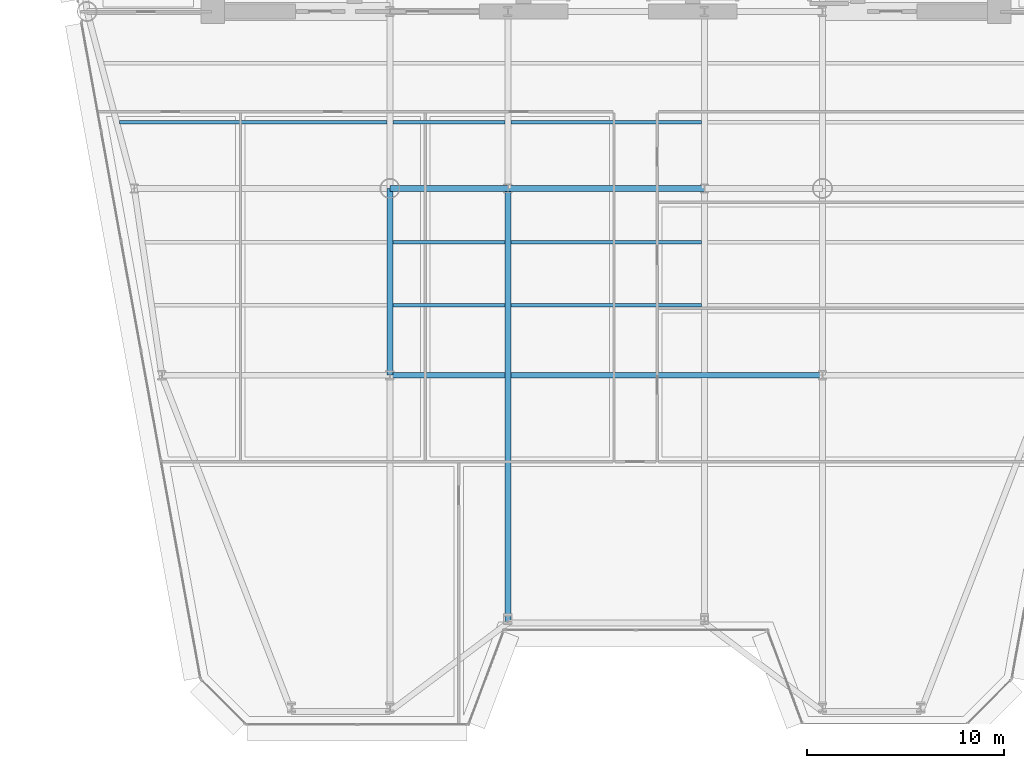
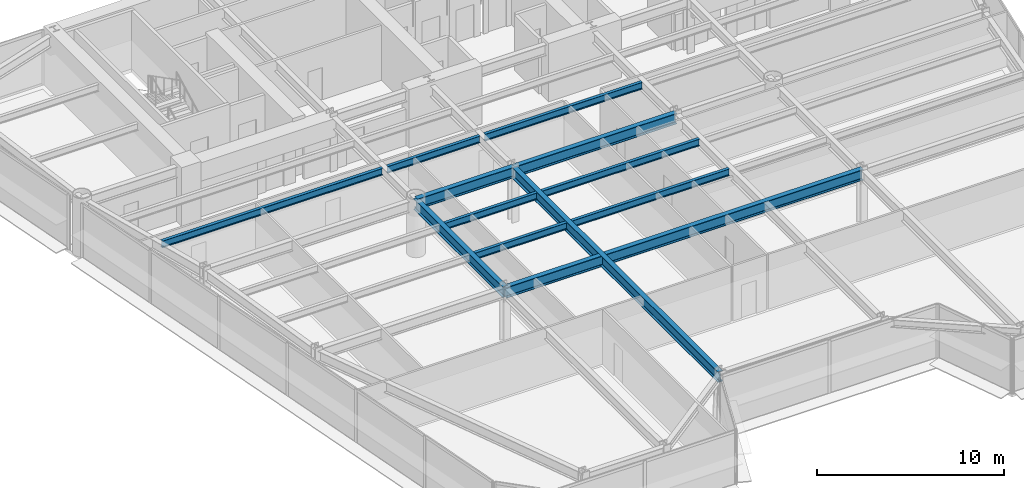
# One storey, part 3 of 14: 12 beams.
"""IFC4 building model written with IfcOpenShell, lengths in metres."""

from ifc_helpers import new_model, si_unit, direction, frame, origin, origin_2d, place, context, subcontext, project, spatial, i_section, extrude, source, transform, mapped, material, material_profile, profile_set, type_object, element, save


model = new_model("IFC4")

# Units and contexts
model_context = context("Model", 3, precision=1e-05, world=origin(), true_north=direction((0.0, 1.0)))
body_context = subcontext(model_context, "Body", "Model", "MODEL_VIEW")
ifc_project = project(units=[si_unit("LENGTHUNIT", "METRE"), si_unit("AREAUNIT", "SQUARE_METRE"), si_unit("VOLUMEUNIT", "CUBIC_METRE"), si_unit("PLANEANGLEUNIT", "RADIAN"), si_unit("MASSUNIT", "GRAM", prefix="KILO")], contexts=[model_context])

# Site, building, storey
site_placement = place(None, origin())
site = spatial("IfcSite", under=ifc_project, at=site_placement, CompositionType="ELEMENT")
building_placement = place(site_placement, origin())
building = spatial("IfcBuilding", under=site, at=building_placement, Name="Vaeldorn Concourse Tower", CompositionType="ELEMENT")
storey_placement = place(building_placement, frame((0.0, 0.0, 141.39990234375)))
storey = spatial("IfcBuildingStorey", under=building, at=storey_placement, Name="L36", CompositionType="ELEMENT", Elevation=141.39990234375)

# Beams
ifc_material = material(Name="Steel S355", Category="steel")
ifc_material_profile_1 = material_profile(ifc_material, i_section(OverallWidth=0.300048828125, OverallDepth=0.699951171875, WebThickness=0.01708984375, FlangeThickness=0.031982421875, FilletRadius=0.027099609375, at=origin_2d()), Name="HEB 700")
ifc_profile_set_1 = profile_set([ifc_material_profile_1], Name="Steel S355")
beam_type_1 = type_object("IfcBeamType", Name="BM-PG-HEB700", PredefinedType="BEAM", material=ifc_profile_set_1)
shared_shape_1 = source(origin(), body_context, "Body", "SweptSolid", [
    extrude(i_section(OverallWidth=0.300048828125, OverallDepth=0.699951171875, WebThickness=0.01708984375, FlangeThickness=0.031982421875, FilletRadius=0.027099609375, at=origin_2d()), origin(), (0.0, 0.0, 1.0), 6.0),
])
beam_1_placement = place(storey_placement, frame((23.0, 27.5, 3.22998046875), z_axis=(1.0, 0.0, 0.0), x_axis=(0.0, 1.0, 0.0)))
element("IfcBeam", 1, at=beam_1_placement, inside=storey, type_object=beam_type_1, Name="Beam BM-L36-C-TW1-C-TW2", PredefinedType="BEAM", context=body_context, shape_type="MappedRepresentation", body=[
    mapped(shared_shape_1, transform((0.0, 0.0, 0.0), scale=1.0)),
])
shared_shape_2 = source(origin(), body_context, "Body", "SweptSolid", [
    extrude(i_section(OverallWidth=0.300048828125, OverallDepth=0.699951171875, WebThickness=0.01708984375, FlangeThickness=0.031982421875, FilletRadius=0.027099609375, at=origin_2d()), origin(), (0.0, 0.0, 1.0), 10.0),
])
beam_2_placement = place(storey_placement, frame((29.0, 27.5, 3.22998046875), z_axis=(1.0, 0.0, 0.0), x_axis=(0.0, 1.0, 0.0)))
element("IfcBeam", 2, at=beam_2_placement, inside=storey, type_object=beam_type_1, Name="Beam BM-L36-C-TW2-C-TW3", PredefinedType="BEAM", context=body_context, shape_type="MappedRepresentation", body=[
    mapped(shared_shape_2, transform((0.0, 0.0, 0.0), scale=1.0)),
])
shared_shape_3 = source(origin(), body_context, "Body", "SweptSolid", [
    extrude(i_section(OverallWidth=0.300048828125, OverallDepth=0.699951171875, WebThickness=0.01708984375, FlangeThickness=0.031982421875, FilletRadius=0.027099609375, at=origin_2d()), origin(), (0.0, 0.0, 1.0), 22.0),
])
beam_3_placement = place(storey_placement, frame((23.0, 18.0, 3.22998046875), z_axis=(1.0, 0.0, 0.0), x_axis=(0.0, 1.0, 0.0)))
element("IfcBeam", 3, at=beam_3_placement, inside=storey, type_object=beam_type_1, Name="Beam BM-L36-C-TW5-C-TW6", PredefinedType="BEAM", context=body_context, shape_type="MappedRepresentation", body=[
    mapped(shared_shape_3, transform((0.0, 0.0, 0.0), scale=1.0)),
])
shared_shape_4 = source(origin(), body_context, "Body", "SweptSolid", [
    extrude(i_section(OverallWidth=0.300048828125, OverallDepth=0.699951171875, WebThickness=0.01708984375, FlangeThickness=0.031982421875, FilletRadius=0.027099609375, at=origin_2d()), origin(), (0.0, 0.0, 1.0), 9.5),
])
beam_4_placement = place(storey_placement, frame((23.0, 18.0, 3.22998046875), z_axis=(0.0, 1.0, 0.0), x_axis=(-1.0, 0.0, 0.0)))
element("IfcBeam", 4, at=beam_4_placement, inside=storey, type_object=beam_type_1, Name="Beam BM-L36-C-TW5-C-TW1", PredefinedType="BEAM", context=body_context, shape_type="MappedRepresentation", body=[
    mapped(shared_shape_4, transform((0.0, 0.0, 0.0), scale=1.0)),
])
ifc_material_profile_2 = material_profile(ifc_material, i_section(OverallWidth=0.18994140625, OverallDepth=0.449951171875, WebThickness=0.009521484375, FlangeThickness=0.0146484375, FilletRadius=0.02099609375, at=origin_2d()), Name="IPE 450")
ifc_profile_set_2 = profile_set([ifc_material_profile_2], Name="Steel S355")
beam_type_2 = type_object("IfcBeamType", Name="BM-JS-IPE450", PredefinedType="JOIST", material=ifc_profile_set_2)
shared_shape_5 = source(origin(), body_context, "Body", "SweptSolid", [
    extrude(i_section(OverallWidth=0.18994140625, OverallDepth=0.449951171875, WebThickness=0.009521484375, FlangeThickness=0.0146484375, FilletRadius=0.02099609375, at=origin_2d()), origin(), (0.0, 0.0, 1.0), 5.7001953125),
])
for number, where, z_axis, x_axis, name in (
    (5, (23.14990234375, 21.56005859375, 3.35498046875), (1.0, 0.0, 0.0), (0.0, 1.0, 0.0), "Beam JS-L36-W2-215"),
    (6, (23.14990234375, 24.760009765625, 3.35498046875), (1.0, 0.0, 0.0), (0.0, 1.0, 0.0), "Beam JS-L36-W2-247"),
    (7, (23.14990234375, 30.860107421875, 3.35498046875), (1.0, 0.0, 0.0), (0.0, 1.0, 0.0), "Beam JS-L36-W2-308"),
):
    element("IfcBeam", number, at=place(storey_placement, frame(where, z_axis=z_axis, x_axis=x_axis)), inside=storey, type_object=beam_type_2, Name=name, PredefinedType="JOIST", context=body_context, shape_type="MappedRepresentation", body=[
        mapped(shared_shape_5, transform((0.0, 0.0, 0.0), scale=1.0)),
    ])
shared_shape_6 = source(origin(), body_context, "Body", "SweptSolid", [
    extrude(i_section(OverallWidth=0.18994140625, OverallDepth=0.449951171875, WebThickness=0.009521484375, FlangeThickness=0.0146484375, FilletRadius=0.02099609375, at=origin_2d()), origin(), (0.0, 0.0, 1.0), 9.7001953125),
])
for number, where, z_axis, x_axis, name in (
    (8, (29.14990234375, 21.56005859375, 3.35498046875), (1.0, 0.0, 0.0), (0.0, 1.0, 0.0), "Beam JS-L36-C-215"),
    (9, (29.14990234375, 24.760009765625, 3.35498046875), (1.0, 0.0, 0.0), (0.0, 1.0, 0.0), "Beam JS-L36-C-247"),
    (10, (29.14990234375, 30.860107421875, 3.35498046875), (1.0, 0.0, 0.0), (0.0, 1.0, 0.0), "Beam JS-L36-C-308"),
):
    element("IfcBeam", number, at=place(storey_placement, frame(where, z_axis=z_axis, x_axis=x_axis)), inside=storey, type_object=beam_type_2, Name=name, PredefinedType="JOIST", context=body_context, shape_type="MappedRepresentation", body=[
        mapped(shared_shape_6, transform((0.0, 0.0, 0.0), scale=1.0)),
    ])
shared_shape_7 = source(origin(), body_context, "Body", "SweptSolid", [
    extrude(i_section(OverallWidth=0.300048828125, OverallDepth=0.699951171875, WebThickness=0.01708984375, FlangeThickness=0.031982421875, FilletRadius=0.027099609375, at=origin_2d()), origin(), (0.0, 0.0, 1.0), 22.10009765625),
])
beam_5_placement = place(storey_placement, frame((29.0, 5.39990234375, 3.22998046875), z_axis=(0.0, 1.0, 0.0), x_axis=(-1.0, 0.0, 0.0)))
element("IfcBeam", 11, at=beam_5_placement, inside=storey, type_object=beam_type_1, Name="Beam BM-L36-C-SF3-C-TW2", PredefinedType="BEAM", context=body_context, shape_type="MappedRepresentation", body=[
    mapped(shared_shape_7, transform((0.0, 0.0, 0.0), scale=1.0)),
])
shared_shape_8 = source(origin(), body_context, "Body", "SweptSolid", [
    extrude(i_section(OverallWidth=0.18994140625, OverallDepth=0.449951171875, WebThickness=0.009521484375, FlangeThickness=0.0146484375, FilletRadius=0.02099609375, at=origin_2d()), origin(), (0.0, 0.0, 1.0), 13.59619140625),
])
beam_6_placement = place(storey_placement, frame((9.25390625, 30.860107421875, 3.35498046875), z_axis=(1.0, 0.0, 0.0), x_axis=(0.0, 1.0, 0.0)))
element("IfcBeam", 12, at=beam_6_placement, inside=storey, type_object=beam_type_2, Name="Beam JS-L36-W1-308", PredefinedType="JOIST", context=body_context, shape_type="MappedRepresentation", body=[
    mapped(shared_shape_8, transform((0.0, 0.0, 0.0), scale=1.0)),
])

save(model, "model.ifc")
